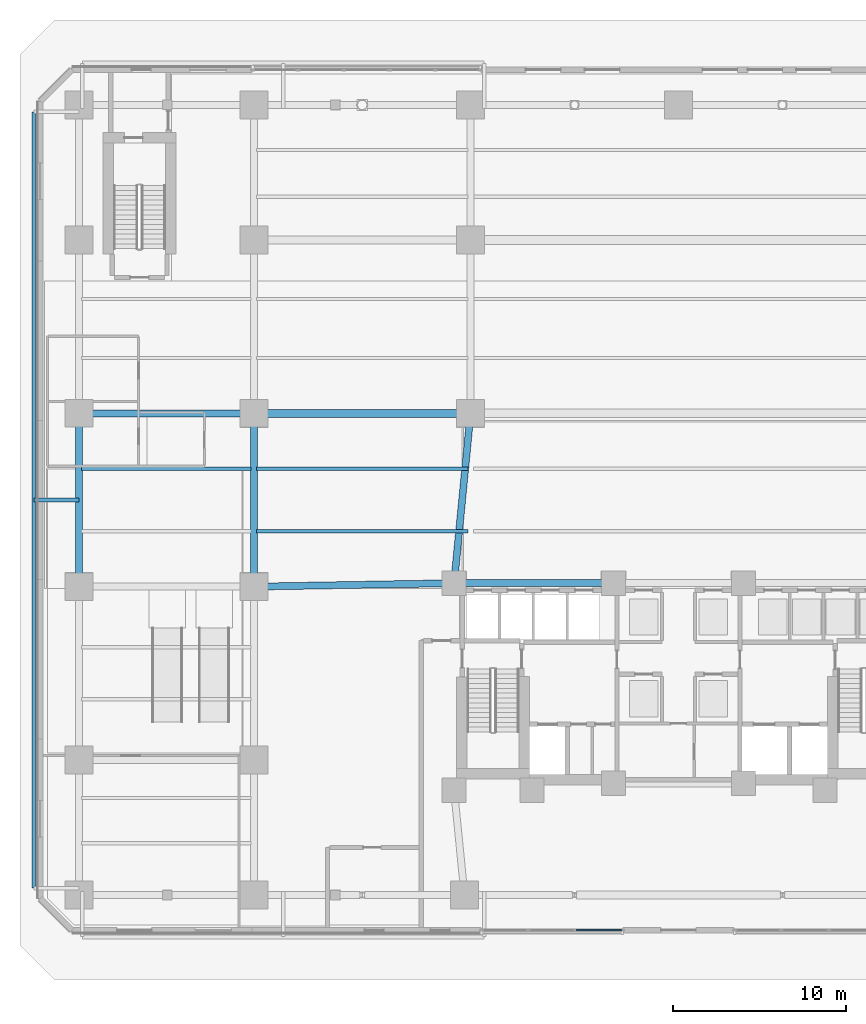
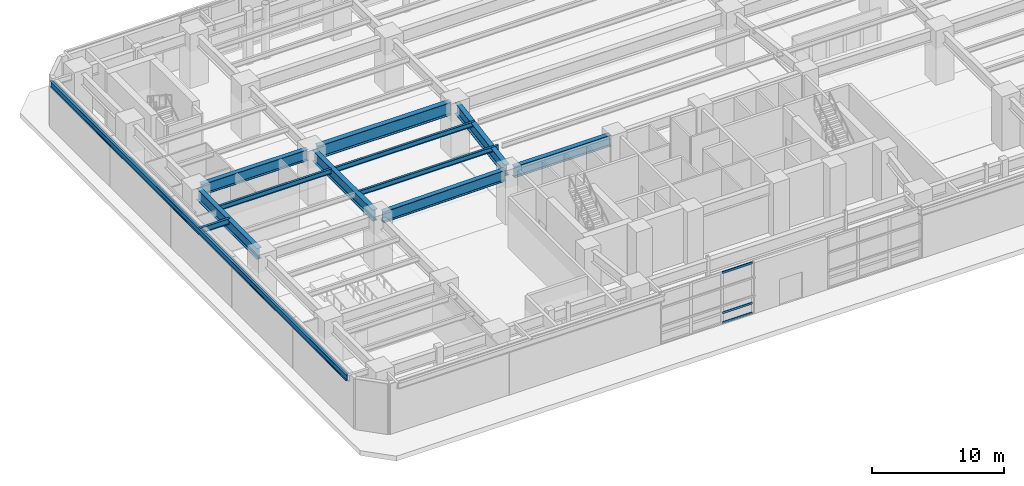
# One storey, part 7 of 26: 12 beams, 3 members, 1 element without a shape of its own.
"""IFC4 building model written with IfcOpenShell, lengths in metres."""

import ifcopenshell
import ifcopenshell.guid

model = None  # the IFC model being written
_history = None  # IfcOwnerHistory: only IFC2X3 demands one
_inside = {}  # id of a spatial element -> (the spatial element, [elements in it])
_under = {}  # id of a project, library or spatial element -> (it, [spatial elements below it])
_declared = {}  # id of a project -> (the project, [libraries it declares])
_typed = {}  # id of a type object -> (the type object, [elements of that type])
_made_of = {}  # id of a material, layer set ... -> (it, [elements and type objects made of it])


def new_model(schema):
    """Start an empty IFC model of exactly this schema.

    Asked for "IFC4X3", IfcOpenShell would pick the latest addendum, in which some entities
    have other attributes; the version numbers below select the first issue.
    IFC2X3 requires an IfcOwnerHistory on every rooted entity: one is made here for all.
    """
    global model, _history
    if schema == "IFC4X3":
        model = ifcopenshell.file(schema_version=(4, 3, 0, 0))
    else:
        model = ifcopenshell.file(schema=schema)
    _inside.clear()
    _under.clear()
    _declared.clear()
    _typed.clear()
    _made_of.clear()
    _history = None
    if model.schema == "IFC2X3":
        org = make("IfcOrganization", Name="unknown")
        user = make(
            "IfcPersonAndOrganization",
            ThePerson=make("IfcPerson", FamilyName="unknown"),
            TheOrganization=org,
        )
        app = make(
            "IfcApplication",
            ApplicationDeveloper=org,
            Version="unknown",
            ApplicationFullName="unknown",
            ApplicationIdentifier="unknown",
        )
        _history = make(
            "IfcOwnerHistory",
            OwningUser=user,
            OwningApplication=app,
            ChangeAction="ADDED",
            CreationDate=0,
        )
    return model


def make(cls, **values):
    """One entity of the class cls with the attributes given. An attribute that is None is left unset."""
    return model.create_entity(
        cls, **{name: value for name, value in values.items() if value is not None}
    )


def rooted(cls, **values):
    """An entity with a GlobalId (a new one), such as an element, a storey or a relation."""
    return make(cls, GlobalId=ifcopenshell.guid.new(), OwnerHistory=_history, **values)


def si_unit(unit_type, name, prefix=None):
    """IfcSIUnit, for example si_unit("LENGTHUNIT", "METRE", prefix="MILLI")."""
    return make("IfcSIUnit", UnitType=unit_type, Prefix=prefix, Name=name)


def assignment(units):
    """IfcUnitAssignment: the units of a project."""
    return None if units is None else make("IfcUnitAssignment", Units=units)


def point(xyz):
    """IfcCartesianPoint."""
    return None if xyz is None else make("IfcCartesianPoint", Coordinates=xyz)


def direction(xyz):
    """IfcDirection."""
    return None if xyz is None else make("IfcDirection", DirectionRatios=xyz)


def frame(location, z_axis=None, x_axis=None):
    """IfcAxis2Placement3D, a coordinate frame: its origin and axes. An axis left out is left unset."""
    return make(
        "IfcAxis2Placement3D",
        Location=point(location),
        Axis=direction(z_axis),
        RefDirection=direction(x_axis),
    )


def frame_2d(location, x_axis=None):
    """IfcAxis2Placement2D, a coordinate frame in the plane: its origin and x axis."""
    return make(
        "IfcAxis2Placement2D", Location=point(location), RefDirection=direction(x_axis)
    )


def origin():
    """The frame at (0, 0, 0) with its axes left unset."""
    return frame((0.0, 0.0, 0.0))


def origin_2d():
    """The frame at (0, 0) in the plane with its x axis left unset."""
    return frame_2d((0.0, 0.0))


def place(relative_to, where):
    """IfcLocalPlacement: puts the frame where relative to a parent placement (None: the world)."""
    return make(
        "IfcLocalPlacement", PlacementRelTo=relative_to, RelativePlacement=where
    )


def context(
    kind, dimensions, precision=None, world=None, true_north=None, identifier=None
):
    """IfcGeometricRepresentationContext, for example the 3D "Model" context."""
    return make(
        "IfcGeometricRepresentationContext",
        ContextIdentifier=identifier,
        ContextType=kind,
        CoordinateSpaceDimension=dimensions,
        Precision=precision,
        WorldCoordinateSystem=world,
        TrueNorth=true_north,
    )


def subcontext(parent, identifier, kind, view, scale=None):
    """IfcGeometricRepresentationSubContext, for example "Body" below "Model"."""
    return make(
        "IfcGeometricRepresentationSubContext",
        ContextIdentifier=identifier,
        ContextType=kind,
        ParentContext=parent,
        TargetScale=scale,
        TargetView=view,
    )


def project(units=None, contexts=None):
    """IfcProject with its units and contexts."""
    return rooted(
        "IfcProject",
        Name="project",
        RepresentationContexts=contexts,
        UnitsInContext=assignment(units),
    )


def spatial(cls, under=None, at=None, **own):
    """A site, building, storey or space (cls), placed at a placement, below another one or the project."""
    s = rooted(cls, ObjectPlacement=at, **own)
    if under is not None:
        _under.setdefault(under.id(), (under, []))[1].append(s)
    return s


def profile(cls, at=None, kind="AREA", **sizes):
    """A parametric profile (cls). Its sizes go by their IFC names, for example OverallWidth=200.0."""
    return make(cls, ProfileType=kind, Position=at, **sizes)


def rectangle(**sizes):
    """IfcRectangleProfileDef."""
    return profile("IfcRectangleProfileDef", **sizes)


def i_section(**sizes):
    """IfcIShapeProfileDef."""
    return profile("IfcIShapeProfileDef", **sizes)


def extrude(swept, where, along, depth):
    """IfcExtrudedAreaSolid: the profile swept, set in the frame where, extruded along a direction by depth."""
    return make(
        "IfcExtrudedAreaSolid",
        SweptArea=swept,
        Position=where,
        ExtrudedDirection=direction(along),
        Depth=depth,
    )


def shape(context_of_items, identifier, shape_type, items):
    """IfcShapeRepresentation: the items that make up one representation, for example the "Body"."""
    return make(
        "IfcShapeRepresentation",
        ContextOfItems=context_of_items,
        RepresentationIdentifier=identifier,
        RepresentationType=shape_type,
        Items=items,
    )


def material(Name=None, Category=None):
    """IfcMaterial."""
    return make("IfcMaterial", Name=Name, Category=Category)


def material_profile(
    of_material, cross_section, Name=None, Category=None, Priority=None
):
    """IfcMaterialProfile: a cross section and its material."""
    return make(
        "IfcMaterialProfile",
        Name=Name,
        Material=of_material,
        Profile=cross_section,
        Priority=Priority,
        Category=Category,
    )


def profile_set(profiles, Name=None, composite=None):
    """IfcMaterialProfileSet."""
    return make(
        "IfcMaterialProfileSet",
        Name=Name,
        MaterialProfiles=profiles,
        CompositeProfile=composite,
    )


def made_of(thing, what):
    """Note that an element or type object is made of a material, layer set ...; save() writes the relation."""
    if what is not None:
        _made_of.setdefault(what.id(), (what, []))[1].append(thing)
    return thing


def type_object(cls, material=None, **own):
    """A type object (cls), such as IfcWallType, which elements share."""
    return made_of(rooted(cls, **own), material)


def element(
    cls,
    number,
    at=None,
    inside=None,
    cuts=None,
    type_object=None,
    material=None,
    context=None,
    identifier="Body",
    shape_type=None,
    held_by="IfcProductDefinitionShape",
    body=None,
    shapes=None,
    **own,
):
    """One element of the class cls, such as IfcWall. Its Tag is "e" and its number.

    at: its placement. inside: the storey or other place that contains it. cuts: it is an
    opening in that element (IfcRelVoidsElement). A single representation is given by context,
    identifier, shape_type and body (its items); several are given by shapes. held_by: the class
    of the entity that holds the representations. save() writes the other relations.
    """
    e = rooted(cls, Tag="e%d" % number, ObjectPlacement=at, **own)
    if body is not None:
        shapes = [shape(context, identifier, shape_type, body)]
    if shapes is not None:
        e.Representation = make(held_by, Representations=shapes)
    if inside is not None:
        _inside.setdefault(inside.id(), (inside, []))[1].append(e)
    if cuts is not None:
        rooted(
            "IfcRelVoidsElement", RelatingBuildingElement=cuts, RelatedOpeningElement=e
        )
    if type_object is not None:
        _typed.setdefault(type_object.id(), (type_object, []))[1].append(e)
    return made_of(e, material)


def aggregate(whole, parts):
    """IfcRelAggregates: a whole, such as a stair, and the parts it consists of."""
    return rooted("IfcRelAggregates", RelatingObject=whole, RelatedObjects=parts)


def save(model, path):
    """Write the relations noted so far, then the file.

    IfcRelAggregates (storeys below a building ...), IfcRelContainedInSpatialStructure (elements
    in a storey), IfcRelDefinesByType, IfcRelAssociatesMaterial and IfcRelDeclares: one each for
    every whole, place, type object, material and project.
    """
    for whole, parts in _under.values():
        aggregate(whole, parts)
    for where, things in _inside.values():
        rooted(
            "IfcRelContainedInSpatialStructure",
            RelatedElements=things,
            RelatingStructure=where,
        )
    for kind, things in _typed.values():
        rooted("IfcRelDefinesByType", RelatedObjects=things, RelatingType=kind)
    for what, things in _made_of.values():
        rooted("IfcRelAssociatesMaterial", RelatedObjects=things, RelatingMaterial=what)
    for by, libraries in _declared.values():
        rooted("IfcRelDeclares", RelatingContext=by, RelatedDefinitions=libraries)
    model.write(path)


model = new_model("IFC4")

# Units and contexts
model_context = context("Model", 3, precision=1e-05, world=origin(), true_north=direction((0.0, 1.0)))
body_context = subcontext(model_context, "Body", "Model", "MODEL_VIEW")
ifc_project = project(units=[si_unit("LENGTHUNIT", "METRE"), si_unit("AREAUNIT", "SQUARE_METRE"), si_unit("VOLUMEUNIT", "CUBIC_METRE"), si_unit("PLANEANGLEUNIT", "RADIAN"), si_unit("MASSUNIT", "GRAM", prefix="KILO")], contexts=[model_context])

# Site, building, storey
site_placement = place(None, origin())
site = spatial("IfcSite", under=ifc_project, at=site_placement, CompositionType="ELEMENT")
building_placement = place(site_placement, origin())
building = spatial("IfcBuilding", under=site, at=building_placement, Name="Quenlor Broadcast Tower", CompositionType="ELEMENT")
storey_placement = place(building_placement, origin())
storey = spatial("IfcBuildingStorey", under=building, at=storey_placement, Name="L00", CompositionType="ELEMENT", Elevation=0.0)

# Curtain wall, members
ifc_material_1 = material(Name="Architectural Terracotta and Low-E Glazing", Category="masonry")
curtain_wall_type = type_object("IfcCurtainWallType", Name="Station Concourse and Crown Terracotta Curtain Wall", PredefinedType="NOTDEFINED", material=ifc_material_1)
curtain_wall_placement = place(storey_placement, origin())
curtain_wall = element("IfcCurtainWall", 1, at=curtain_wall_placement, inside=storey, type_object=curtain_wall_type, Name="L00 Curtain Wall CW6 (L00-S-MID2)", PredefinedType="NOTDEFINED")
ifc_material_2 = material(Name="Aluminium 6063-T6", Category="aluminium")
ifc_material_profile_1 = material_profile(ifc_material_2, rectangle(XDim=0.08203125, YDim=0.195068359375, at=origin_2d()))
ifc_profile_set_1 = profile_set([ifc_material_profile_1], Name="Aluminium 6063-T6 TRAN82x195")
member_type = type_object("IfcMemberType", Name="CW6 Aluminium Transom TRAN_CW6", PredefinedType="USERDEFINED", material=ifc_profile_set_1)
member_1_placement = place(storey_placement, frame((-3.281982421875, -24.820068359375, 0.041015625), z_axis=(-1.0, 0.0, 0.0), x_axis=(0.0, -1.0, 0.0)))
member_1 = element("IfcMember", 2, at=member_1_placement, type_object=member_type, Name="CW6 transom 1.1", ObjectType="TRANSOM", PredefinedType="USERDEFINED", context=body_context, shape_type="SweptSolid", body=[
    extrude(rectangle(XDim=0.08203125, YDim=0.195068359375, at=origin_2d()), origin(), (0.0, 0.0, 1.0), 2.6103515625),
])
member_2_placement = place(storey_placement, frame((-3.281982421875, -24.820068359375, 0.949951171875), z_axis=(-1.0, 0.0, 0.0), x_axis=(0.0, -1.0, 0.0)))
member_2 = element("IfcMember", 3, at=member_2_placement, type_object=member_type, Name="CW6 transom 1.2", ObjectType="TRANSOM", PredefinedType="USERDEFINED", context=body_context, shape_type="SweptSolid", body=[
    extrude(rectangle(XDim=0.08203125, YDim=0.195068359375, at=origin_2d()), origin(), (0.0, 0.0, 1.0), 2.6103515625),
])
member_3_placement = place(storey_placement, frame((-3.281982421875, -24.820068359375, 4.658935546875), z_axis=(-1.0, 0.0, 0.0), x_axis=(0.0, -1.0, 0.0)))
member_3 = element("IfcMember", 4, at=member_3_placement, type_object=member_type, Name="CW6 transom 1.3", ObjectType="TRANSOM", PredefinedType="USERDEFINED", context=body_context, shape_type="SweptSolid", body=[
    extrude(rectangle(XDim=0.08203125, YDim=0.195068359375, at=origin_2d()), origin(), (0.0, 0.0, 1.0), 2.6103515625),
])
aggregate(curtain_wall, [member_1, member_2, member_3])

# Beams
ifc_material_3 = material(Name="Steel S355", Category="steel")
ifc_material_profile_2 = material_profile(ifc_material_3, i_section(OverallWidth=0.208984375, OverallDepth=0.532958984375, WebThickness=0.01025390625, FlangeThickness=0.015625, FilletRadius=0.013916015625, at=origin_2d()))
ifc_profile_set_2 = profile_set([ifc_material_profile_2], Name="Steel S355 530UB92.4")
beam_type_1 = type_object("IfcBeamType", Name="Perimeter Spandrel Beam Z1 Steel S355 530UB92.4", PredefinedType="SPANDREL", material=ifc_profile_set_2)
beam_1_placement = place(storey_placement, frame((-34.5849609375, 0.0, 4.43359375), z_axis=(-1.0, 0.0, 0.0), x_axis=(0.0, -1.0, 0.0)))
element("IfcBeam", 5, at=beam_1_placement, inside=storey, type_object=beam_type_1, Name="L00 Podium Lattice Sill Tie W3", PredefinedType="SPANDREL", context=body_context, shape_type="SweptSolid", body=[
    extrude(i_section(OverallWidth=0.208984375, OverallDepth=0.532958984375, WebThickness=0.01025390625, FlangeThickness=0.015625, FilletRadius=0.013916015625, at=origin_2d()), origin(), (0.0, 0.0, 1.0), 2.610107421875),
])
beam_2_placement = place(storey_placement, frame((-37.215087890625, -22.3798828125, 4.43359375), z_axis=(0.0, 1.0, 0.0), x_axis=(-1.0, 0.0, 0.0)))
element("IfcBeam", 6, at=beam_2_placement, inside=storey, type_object=beam_type_1, Name="L00 Podium Lattice Sill Girder W", PredefinedType="SPANDREL", context=body_context, shape_type="SweptSolid", body=[
    extrude(i_section(OverallWidth=0.208984375, OverallDepth=0.532958984375, WebThickness=0.01025390625, FlangeThickness=0.015625, FilletRadius=0.013916015625, at=origin_2d()), origin(), (0.0, 0.0, 1.0), 44.759765625),
])
ifc_material_4 = material(Name="Steel S355", Category="steel")
ifc_material_profile_3 = material_profile(ifc_material_4, i_section(OverallWidth=0.39990234375, OverallDepth=1.02392578125, WebThickness=0.01611328125, FlangeThickness=0.031982421875, FilletRadius=0.01611328125, at=origin_2d()))
ifc_profile_set_3 = profile_set([ifc_material_profile_3], Name="Steel S355 1000WB322")
beam_type_2 = type_object("IfcBeamType", Name="Podium Concourse Girder Steel S355 1000WB322", PredefinedType="BEAM", material=ifc_profile_set_3)
beam_3_placement = place(storey_placement, frame((-34.179931640625, 5.0, 4.18798828125), z_axis=(1.0, 0.0, 0.0), x_axis=(0.0, 1.0, 0.0)))
element("IfcBeam", 7, at=beam_3_placement, inside=storey, type_object=beam_type_2, Name="L00 Podium Girder 14", PredefinedType="BEAM", context=body_context, shape_type="SweptSolid", body=[
    extrude(i_section(OverallWidth=0.39990234375, OverallDepth=1.02392578125, WebThickness=0.01611328125, FlangeThickness=0.031982421875, FilletRadius=0.01611328125, at=origin_2d()), origin(), (0.0, 0.0, 1.0), 9.260009765625),
])
for number, where, z_axis, x_axis, name in (
    (8, (-34.60009765625, -4.580078125, 4.18798828125), (0.0, 1.0, 0.0), (-1.0, 0.0, 0.0), "L00 Podium Girder 36"),
    (9, (-24.5, -4.580078125, 4.18798828125), (0.0, 1.0, 0.0), (-1.0, 0.0, 0.0), "L00 Podium Girder 41"),
):
    element("IfcBeam", number, at=place(storey_placement, frame(where, z_axis=z_axis, x_axis=x_axis)), inside=storey, type_object=beam_type_2, Name=name, PredefinedType="BEAM", context=body_context, shape_type="SweptSolid", body=[
        extrude(i_section(OverallWidth=0.39990234375, OverallDepth=1.02392578125, WebThickness=0.01611328125, FlangeThickness=0.031982421875, FilletRadius=0.01611328125, at=origin_2d()), origin(), (0.0, 0.0, 1.0), 9.16015625),
    ])
beam_4_placement = place(storey_placement, frame((-12.913330078125, -4.421875, 4.18798828125), z_axis=(0.096489068192, 0.995334044288, 0.0), x_axis=(-0.995334044288, 0.096489068192, 0.0)))
element("IfcBeam", 10, at=beam_4_placement, inside=storey, type_object=beam_type_2, Name="L00 Podium Concourse Girder 1", PredefinedType="BEAM", context=body_context, shape_type="SweptSolid", body=[
    extrude(i_section(OverallWidth=0.39990234375, OverallDepth=1.02392578125, WebThickness=0.01611328125, FlangeThickness=0.031982421875, FilletRadius=0.01611328125, at=origin_2d()), origin(), (0.0, 0.0, 1.0), 9.086181640625),
])
beam_5_placement = place(storey_placement, frame((-13.329833984375, -4.806640625, 4.18798828125), z_axis=(-0.999850235211, -0.017306274859, 0.0), x_axis=(0.017306274859, -0.999850235211, 0.0)))
element("IfcBeam", 11, at=beam_5_placement, inside=storey, type_object=beam_type_2, Name="L00 Podium Concourse Girder 5", PredefinedType="BEAM", context=body_context, shape_type="SweptSolid", body=[
    extrude(i_section(OverallWidth=0.39990234375, OverallDepth=1.02392578125, WebThickness=0.01611328125, FlangeThickness=0.031982421875, FilletRadius=0.01611328125, at=origin_2d()), origin(), (0.0, 0.0, 1.0), 10.7919921875),
])
beam_6_placement = place(storey_placement, frame((-12.570068359375, -4.800048828125, 4.18798828125), z_axis=(1.0, 0.0, 0.0), x_axis=(0.0, 1.0, 0.0)))
element("IfcBeam", 12, at=beam_6_placement, inside=storey, type_object=beam_type_2, Name="L00 Podium Concourse Girder 9", PredefinedType="BEAM", context=body_context, shape_type="SweptSolid", body=[
    extrude(i_section(OverallWidth=0.39990234375, OverallDepth=1.02392578125, WebThickness=0.01611328125, FlangeThickness=0.031982421875, FilletRadius=0.01611328125, at=origin_2d()), origin(), (0.0, 0.0, 1.0), 8.440185546875),
])
ifc_material_5 = material(Name="Steel S355", Category="steel")
ifc_material_profile_4 = material_profile(ifc_material_5, i_section(OverallWidth=0.18994140625, OverallDepth=0.453857421875, WebThickness=0.008544921875, FlangeThickness=0.0126953125, FilletRadius=0.011474609375, at=origin_2d()))
ifc_profile_set_4 = profile_set([ifc_material_profile_4], Name="Steel S355 460UB67.1")
beam_type_3 = type_object("IfcBeamType", Name="Podium Floor Joist Steel S355 460UB67.1", PredefinedType="JOIST", material=ifc_profile_set_4)
beam_7_placement = place(storey_placement, frame((-34.43994140625, 1.800048828125, 4.47314453125), z_axis=(1.0, 0.0, 0.0), x_axis=(0.0, 1.0, 0.0)))
element("IfcBeam", 13, at=beam_7_placement, inside=storey, type_object=beam_type_3, Name="L00 Podium Floor Joist 31", PredefinedType="JOIST", context=body_context, shape_type="SweptSolid", body=[
    extrude(i_section(OverallWidth=0.18994140625, OverallDepth=0.453857421875, WebThickness=0.008544921875, FlangeThickness=0.0126953125, FilletRadius=0.011474609375, at=origin_2d()), origin(), (0.0, 0.0, 1.0), 9.780029296875),
])
for number, where, z_axis, x_axis, name in (
    (14, (-24.340087890625, -1.800048828125, 4.47314453125), (1.0, 0.0, 0.0), (0.0, 1.0, 0.0), "L00 Podium Floor Joist 33"),
    (15, (-24.340087890625, 1.800048828125, 4.47314453125), (1.0, 0.0, 0.0), (0.0, 1.0, 0.0), "L00 Podium Floor Joist 36"),
):
    element("IfcBeam", number, at=place(storey_placement, frame(where, z_axis=z_axis, x_axis=x_axis)), inside=storey, type_object=beam_type_3, Name=name, PredefinedType="JOIST", context=body_context, shape_type="SweptSolid", body=[
        extrude(i_section(OverallWidth=0.18994140625, OverallDepth=0.453857421875, WebThickness=0.008544921875, FlangeThickness=0.0126953125, FilletRadius=0.011474609375, at=origin_2d()), origin(), (0.0, 0.0, 1.0), 12.18017578125),
    ])
ifc_material_6 = material(Name="Steel S355", Category="steel")
ifc_material_profile_5 = material_profile(ifc_material_6, i_section(OverallWidth=0.449951171875, OverallDepth=1.18798828125, WebThickness=0.01806640625, FlangeThickness=0.031982421875, FilletRadius=0.01611328125, at=origin_2d()))
ifc_profile_set_5 = profile_set([ifc_material_profile_5], Name="Steel S355 1200WB392")
beam_type_4 = type_object("IfcBeamType", Name="Podium Secondary Studio Girder Steel S355 1200WB392", PredefinedType="BEAM", material=ifc_profile_set_5)
beam_8_placement = place(storey_placement, frame((-24.080078125, 5.0, 4.10595703125), z_axis=(1.0, 0.0, 0.0), x_axis=(0.0, 1.0, 0.0)))
element("IfcBeam", 16, at=beam_8_placement, inside=storey, type_object=beam_type_4, Name="L00 Podium Girder 15", PredefinedType="BEAM", context=body_context, shape_type="SweptSolid", body=[
    extrude(i_section(OverallWidth=0.449951171875, OverallDepth=1.18798828125, WebThickness=0.01806640625, FlangeThickness=0.031982421875, FilletRadius=0.01611328125, at=origin_2d()), origin(), (0.0, 0.0, 1.0), 11.66015625),
])

save(model, "model.ifc")
